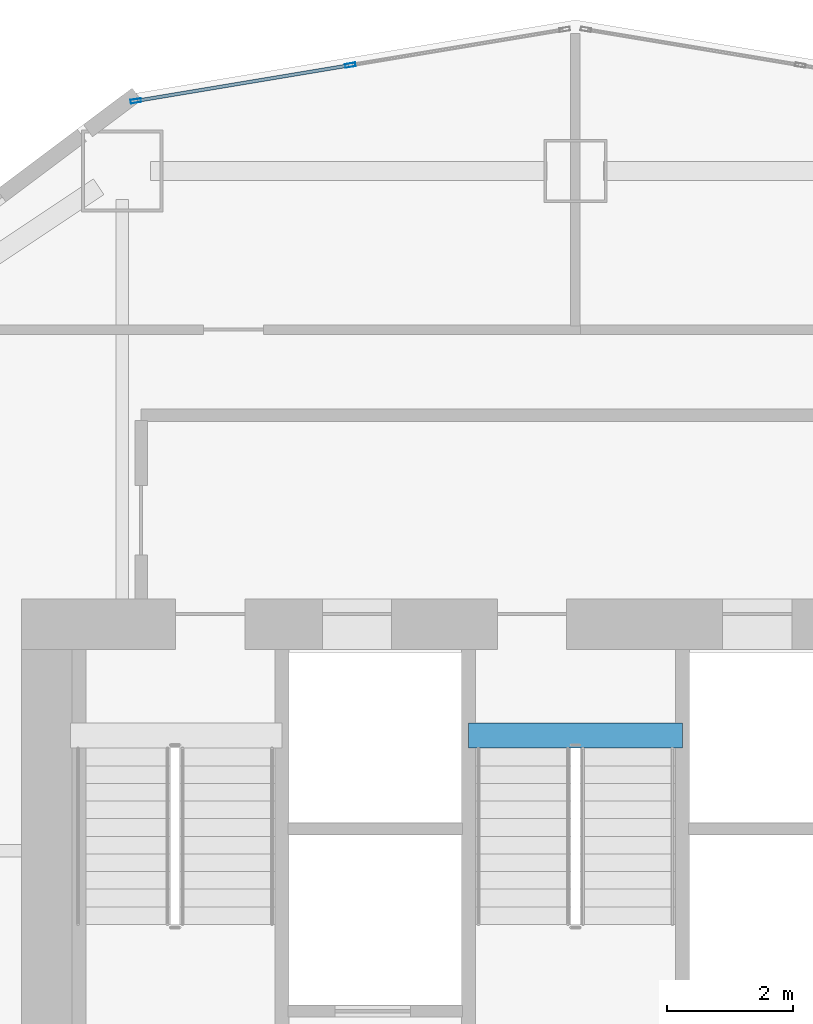
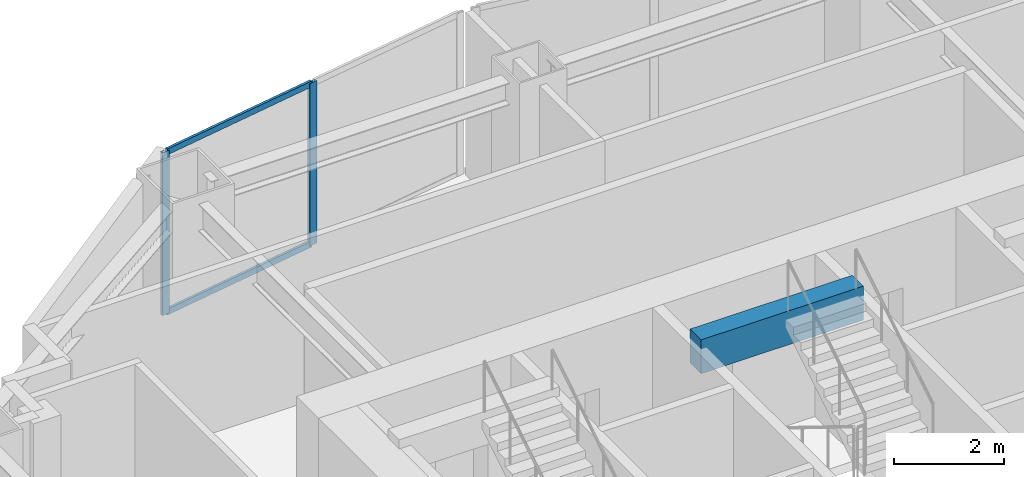
# One storey, part 2 of 17: 4 members, 1 beam, 1 element without a shape of its own.
"""IFC4 building model written with IfcOpenShell, lengths in metres."""

from ifc_helpers import new_model, si_unit, direction, frame, origin, origin_2d, place, context, subcontext, project, spatial, rectangle, hollow_rectangle, extrude, material, layer, layer_set, material_profile, profile_set, type_object, element, aggregate, save


model = new_model("IFC4")

# Units and contexts
model_context = context("Model", 3, precision=1e-05, world=origin(), true_north=direction((0.0, 1.0)))
body_context = subcontext(model_context, "Body", "Model", "MODEL_VIEW")
ifc_project = project(units=[si_unit("LENGTHUNIT", "METRE"), si_unit("AREAUNIT", "SQUARE_METRE"), si_unit("VOLUMEUNIT", "CUBIC_METRE"), si_unit("PLANEANGLEUNIT", "RADIAN"), si_unit("MASSUNIT", "GRAM", prefix="KILO")], contexts=[model_context])

# Site, building, storey
site_placement = place(None, origin())
site = spatial("IfcSite", under=ifc_project, at=site_placement, CompositionType="ELEMENT")
building_placement = place(site_placement, origin())
building = spatial("IfcBuilding", under=site, at=building_placement, Name="Haolan Belvedere Tower", CompositionType="ELEMENT")
storey_placement = place(building_placement, frame((0.0, 0.0, 31.60009765625)))
storey = spatial("IfcBuildingStorey", under=building, at=storey_placement, Name="L07", CompositionType="ELEMENT", Elevation=31.60009765625)

# Beam
ifc_material_1 = material(Name="Concrete C50/60", Category="concrete")
ifc_material_profile_1 = material_profile(ifc_material_1, rectangle(XDim=0.39990234375, YDim=0.75, at=origin_2d()), Name="Concrete C50/60")
ifc_profile_set_1 = profile_set([ifc_material_profile_1], Name="Concrete C50/60")
beam_type = type_object("IfcBeamType", Name="BM-RC400x750", PredefinedType="T_BEAM", material=ifc_profile_set_1)
beam_placement = place(storey_placement, frame((36.699951171875, 41.429931640625, 3.4248046875), z_axis=(1.0, 0.0, 0.0), x_axis=(0.0, 1.0, 0.0)))
element("IfcBeam", 1, at=beam_placement, inside=storey, type_object=beam_type, Name="L08 stair ST3 RC header trimmer beam", PredefinedType="BEAM", context=body_context, shape_type="SweptSolid", body=[
    extrude(rectangle(XDim=0.39990234375, YDim=0.75, at=origin_2d()), origin(), (0.0, 0.0, 1.0), 3.400146484375),
])

# Curtain wall, members
ifc_material_2 = material(Name="Anodised champagne-silver aluminium 6063-T6 and Low-E glass", Category="aluminium")
ifc_layer = layer(ifc_material_2, 0.1650390625, Name="Anodised champagne-silver aluminium 6063-T6 and Low-E glass")
ifc_layer_set = layer_set([ifc_layer], Name="Anodised champagne-silver aluminium 6063-T6 and Low-E glass")
curtain_wall_type = type_object("IfcCurtainWallType", Name="CW-SYS-02", PredefinedType="NOTDEFINED", material=ifc_layer_set)
curtain_wall_placement = place(storey_placement, origin())
curtain_wall = element("IfcCurtainWall", 2, at=curtain_wall_placement, inside=storey, type_object=curtain_wall_type, Name="L07 CW-SYS-02 ribbon curtain wall 43.1", PredefinedType="NOTDEFINED")
ifc_material_3 = material(Name="Anodised aluminium 6063-T6", Category="aluminium")
ifc_material_profile_2 = material_profile(ifc_material_3, hollow_rectangle(XDim=0.06005859375, YDim=0.1650390625, WallThickness=0.00390625, at=origin_2d()), Name="Anodised aluminium 6063-T6")
ifc_profile_set_2 = profile_set([ifc_material_profile_2], Name="Anodised aluminium 6063-T6")
member_type_1 = type_object("IfcMemberType", Name="CW-SYS-02-MUL", PredefinedType="MULLION", material=ifc_profile_set_2)
member_1_placement = place(storey_placement, frame((34.82421875, 52.082275390625, 0.0), z_axis=(0.0, 0.0, 1.0), x_axis=(0.16440364043, -0.9863931483, 0.0)))
member_1 = element("IfcMember", 3, at=member_1_placement, type_object=member_type_1, Name="CW-02 mullion 2", PredefinedType="MULLION", context=body_context, shape_type="SweptSolid", body=[
    extrude(hollow_rectangle(XDim=0.06005859375, YDim=0.1650390625, WallThickness=0.00390625, at=origin_2d()), origin(), (0.0, 0.0, 1.0), 3.599853515625),
])
member_2_placement = place(storey_placement, frame((31.416259765625, 51.514404296875, 0.0), z_axis=(0.0, 0.0, 1.0), x_axis=(0.16440364043, -0.9863931483, 0.0)))
member_2 = element("IfcMember", 4, at=member_2_placement, type_object=member_type_1, Name="CW-02 mullion 3", PredefinedType="MULLION", context=body_context, shape_type="SweptSolid", body=[
    extrude(hollow_rectangle(XDim=0.06005859375, YDim=0.1650390625, WallThickness=0.00390625, at=origin_2d()), origin(), (0.0, 0.0, 1.0), 3.599853515625),
])
ifc_material_profile_3 = material_profile(ifc_material_3, hollow_rectangle(XDim=0.054931640625, YDim=0.1298828125, WallThickness=0.00390625, at=origin_2d()), Name="Anodised aluminium 6063-T6")
ifc_profile_set_3 = profile_set([ifc_material_profile_3], Name="Anodised aluminium 6063-T6")
member_type_2 = type_object("IfcMemberType", Name="CW-SYS-02-TRN", PredefinedType="USERDEFINED", material=ifc_profile_set_3)
member_3_placement = place(storey_placement, frame((34.794677734375, 52.077392578125, 0.02734375), z_axis=(-0.986395867289, -0.164387326137, 0.0), x_axis=(0.164387326137, -0.986395867289, 0.0)))
member_3 = element("IfcMember", 5, at=member_3_placement, type_object=member_type_2, Name="CW-02 transom 2.1", ObjectType="TRANSOM", PredefinedType="USERDEFINED", context=body_context, shape_type="SweptSolid", body=[
    extrude(hollow_rectangle(XDim=0.054931640625, YDim=0.1298828125, WallThickness=0.00390625, at=origin_2d()), origin(), (0.0, 0.0, 1.0), 3.39501953125),
])
member_4_placement = place(storey_placement, frame((34.794677734375, 52.077392578125, 3.572509765625), z_axis=(-0.986395867289, -0.164387326137, 0.0), x_axis=(0.164387326137, -0.986395867289, 0.0)))
member_4 = element("IfcMember", 6, at=member_4_placement, type_object=member_type_2, Name="CW-02 transom 2.2", ObjectType="TRANSOM", PredefinedType="USERDEFINED", context=body_context, shape_type="SweptSolid", body=[
    extrude(hollow_rectangle(XDim=0.054931640625, YDim=0.1298828125, WallThickness=0.00390625, at=origin_2d()), origin(), (0.0, 0.0, 1.0), 3.39501953125),
])
aggregate(curtain_wall, [member_1, member_2, member_3, member_4])

save(model, "model.ifc")
